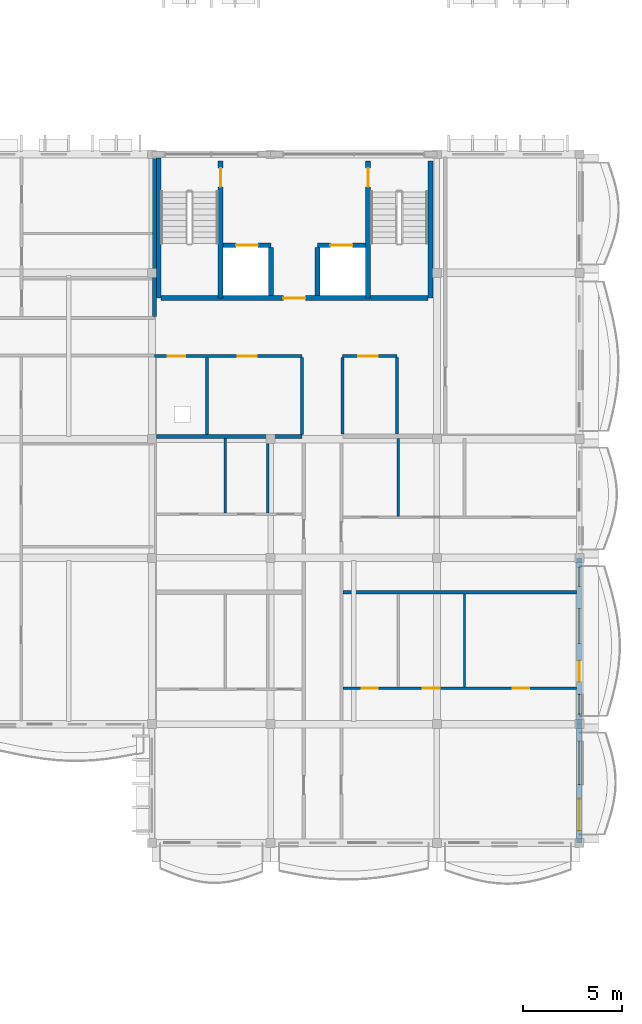
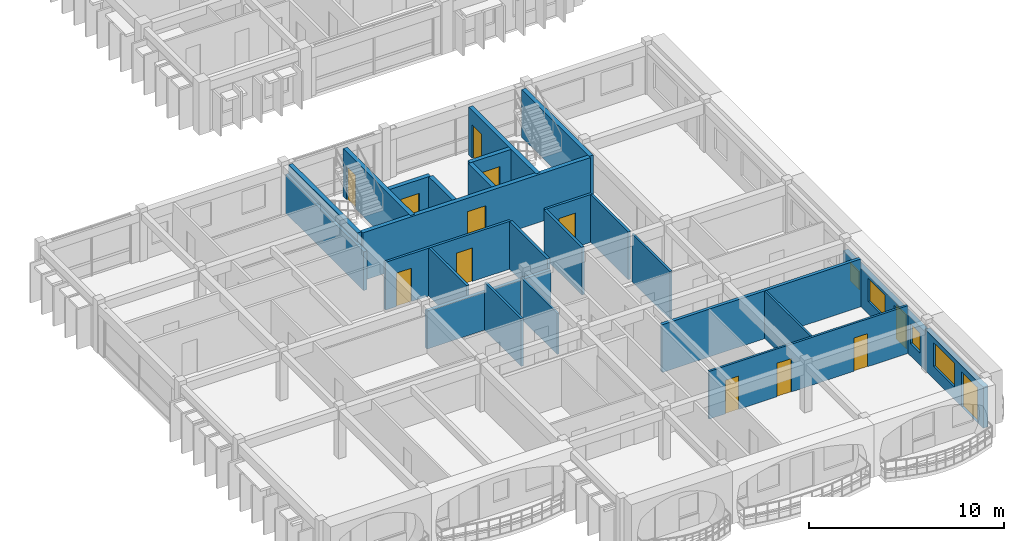
# One storey, part 41 of 76: 25 walls, 13 doors, 4 windows, 17 openings.
"""IFC4 building model written with IfcOpenShell, lengths in metres."""

from ifc_helpers import new_model, si_unit, direction, frame, frame_2d, origin, place, context, subcontext, project, spatial, rectangle, extrude, material, layer, layer_set, type_object, element, fill, save


model = new_model("IFC4")

# Units and contexts
model_context = context("Model", 3, precision=1e-05, world=origin(), true_north=direction((0.0, 1.0)))
body_context = subcontext(model_context, "Body", "Model", "MODEL_VIEW")
ifc_project = project(units=[si_unit("LENGTHUNIT", "METRE"), si_unit("AREAUNIT", "SQUARE_METRE"), si_unit("VOLUMEUNIT", "CUBIC_METRE"), si_unit("PLANEANGLEUNIT", "RADIAN"), si_unit("MASSUNIT", "GRAM", prefix="KILO"), si_unit("THERMODYNAMICTEMPERATUREUNIT", "KELVIN")], contexts=[model_context])

# Site, building, storey
site_placement = place(None, origin())
site = spatial("IfcSite", under=ifc_project, at=site_placement, CompositionType="ELEMENT")
building_placement = place(site_placement, origin())
building = spatial("IfcBuilding", under=site, at=building_placement, Name="Thalorik Housing Commons", CompositionType="ELEMENT")
storey_placement = place(building_placement, frame((0.0, 0.0, 18.0)))
storey = spatial("IfcBuildingStorey", under=building, at=storey_placement, Name="L05", CompositionType="ELEMENT", Elevation=18.0)

# Wall, opening, door
ifc_material_1 = material(Name="Concrete C40/50", Category="concrete")
ifc_layer_1 = layer(ifc_material_1, 0.25, Name="Concrete C40/50", Category="concrete")
ifc_layer_set_1 = layer_set([ifc_layer_1], Name="Concrete C40/50")
wall_type_1 = type_object("IfcWallType", Name="ARC-WAL-CORE-250", PredefinedType="SHEAR", material=ifc_layer_set_1)
wall_1_placement = place(storey_placement, frame((155.875, 71.64990234375, 0.0), z_axis=(0.0, 0.0, 1.0), x_axis=(0.0, -1.0, 0.0)))
wall_1 = element("IfcWall", 1, at=wall_1_placement, inside=storey, type_object=wall_type_1, Name="L05 Core D Stair 1 Shear Wall", PredefinedType="SHEAR", context=body_context, shape_type="SweptSolid", body=[
    extrude(rectangle(XDim=6.9248046875, YDim=0.25, at=frame_2d((3.46240234375, 0.0))), origin(), (0.0, 0.0, 1.0), 3.0),
])
opening_1_placement = place(wall_1_placement, frame((0.35009765625, 0.0, 0.0)))
opening_1 = element("IfcOpeningElement", 2, at=opening_1_placement, cuts=wall_1, Name="Opening ID-0393", PredefinedType="OPENING", context=body_context, shape_type="SweptSolid", body=[
    extrude(rectangle(XDim=0.949951171875, YDim=2.10009765625, at=frame_2d((0.47509765625, 1.050048828125))), frame((0.0, 0.135009765625, 0.0), z_axis=(0.0, -1.0, 0.0), x_axis=(1.0, 0.0, 0.0)), (0.0, 0.0, 1.0), 0.27001953125),
])
ifc_material_2 = material(Name="Steel S355", Category="steel")
door_type_1 = type_object("IfcDoorType", Name="ARC-DR-FD60-950", OperationType="NOTDEFINED", PredefinedType="DOOR", material=ifc_material_2)
door_1_placement = place(opening_1_placement, origin())
door_1 = element("IfcDoor", 3, at=door_1_placement, inside=storey, type_object=door_type_1, Name="L05 Stair ST-D1 Fire Door", OperationType="SINGLE_SWING_RIGHT", OverallHeight=2.10009765625, OverallWidth=0.949951171875, PredefinedType="DOOR", context=body_context, shape_type="SweptSolid", body=[
    extrude(rectangle(XDim=0.949951171875, YDim=2.10009765625, at=frame_2d((0.47509765625, 1.050048828125))), frame((0.0, 0.02490234375, 0.0), z_axis=(0.0, -1.0, 0.0), x_axis=(1.0, 0.0, 0.0)), (0.0, 0.0, 1.0), 0.050048828125),
])
fill(opening_1, door_1)

# Walls
wall_2_placement = place(storey_placement, frame((152.72509765625, 71.800048828125, 0.0), z_axis=(0.0, 0.0, 1.0), x_axis=(0.0, -1.0, 0.0)))
element("IfcWall", 4, at=wall_2_placement, inside=storey, type_object=wall_type_1, Name="L05 Core D Stair 1 Outer Shear Wall", PredefinedType="SHEAR", context=body_context, shape_type="SweptSolid", body=[
    extrude(rectangle(XDim=7.074951171875, YDim=0.25, at=frame_2d((3.53759765625, 0.0))), origin(), (0.0, 0.0, 1.0), 3.0),
])
wall_3_placement = place(storey_placement, frame((166.47509765625, 71.64990234375, 0.0), z_axis=(0.0, 0.0, 1.0), x_axis=(0.0, -1.0, 0.0)))
element("IfcWall", 5, at=wall_3_placement, inside=storey, type_object=wall_type_1, Name="L05 Core D Stair 2 Outer Shear Wall", PredefinedType="SHEAR", context=body_context, shape_type="SweptSolid", body=[
    extrude(rectangle(XDim=6.9248046875, YDim=0.25, at=frame_2d((3.46240234375, 0.0))), origin(), (0.0, 0.0, 1.0), 3.0),
])

# Wall, opening, door
wall_4_placement = place(storey_placement, frame((163.324951171875, 71.64990234375, 0.0), z_axis=(0.0, 0.0, 1.0), x_axis=(0.0, -1.0, 0.0)))
wall_4 = element("IfcWall", 6, at=wall_4_placement, inside=storey, type_object=wall_type_1, Name="L05 Core D Stair 2 Shear Wall", PredefinedType="SHEAR", context=body_context, shape_type="SweptSolid", body=[
    extrude(rectangle(XDim=6.9248046875, YDim=0.25, at=frame_2d((3.46240234375, 0.0))), origin(), (0.0, 0.0, 1.0), 3.0),
])
opening_2_placement = place(wall_4_placement, frame((0.35009765625, 0.0, 0.0)))
opening_2 = element("IfcOpeningElement", 7, at=opening_2_placement, cuts=wall_4, Name="Opening ID-0394", PredefinedType="OPENING", context=body_context, shape_type="SweptSolid", body=[
    extrude(rectangle(XDim=0.949951171875, YDim=2.10009765625, at=frame_2d((0.47509765625, 1.050048828125))), frame((0.0, 0.135009765625, 0.0), z_axis=(0.0, -1.0, 0.0), x_axis=(1.0, 0.0, 0.0)), (0.0, 0.0, 1.0), 0.27001953125),
])
door_2_placement = place(opening_2_placement, origin())
door_2 = element("IfcDoor", 8, at=door_2_placement, inside=storey, type_object=door_type_1, Name="L05 Stair ST-D2 Fire Door", OperationType="SINGLE_SWING_LEFT", OverallHeight=2.10009765625, OverallWidth=0.949951171875, PredefinedType="DOOR", context=body_context, shape_type="SweptSolid", body=[
    extrude(rectangle(XDim=0.949951171875, YDim=2.10009765625, at=frame_2d((0.47509765625, 1.050048828125))), frame((0.0, 0.02490234375, 0.0), z_axis=(0.0, -1.0, 0.0), x_axis=(1.0, 0.0, 0.0)), (0.0, 0.0, 1.0), 0.050048828125),
])
fill(opening_2, door_2)

wall_5_placement = place(storey_placement, frame((156.0, 67.39990234375, 0.0), z_axis=(0.0, 0.0, 1.0), x_axis=(1.0, 0.0, 0.0)))
wall_5 = element("IfcWall", 9, at=wall_5_placement, inside=storey, type_object=wall_type_1, Name="L05 Lift LP-D1 Front Shaft Wall", PredefinedType="SHEAR", context=body_context, shape_type="SweptSolid", body=[
    extrude(rectangle(XDim=2.425048828125, YDim=0.25, at=frame_2d((1.21240234375, 0.0))), origin(), (0.0, 0.0, 1.0), 3.0),
])
opening_3_placement = place(wall_5_placement, frame((0.64990234375, 0.0, 0.0)))
opening_3 = element("IfcOpeningElement", 10, at=opening_3_placement, cuts=wall_5, Name="Opening LD-LP-D1-L05", PredefinedType="OPENING", context=body_context, shape_type="SweptSolid", body=[
    extrude(rectangle(XDim=1.10009765625, YDim=2.14990234375, at=frame_2d((0.550048828125, 1.074951171875))), frame((0.0, 0.135009765625, 0.0), z_axis=(0.0, -1.0, 0.0), x_axis=(1.0, 0.0, 0.0)), (0.0, 0.0, 1.0), 0.27001953125),
])
door_type_2 = type_object("IfcDoorType", Name="ARC-DR-LIFT-1100", OperationType="NOTDEFINED", PredefinedType="DOOR", material=ifc_material_2)
door_3_placement = place(opening_3_placement, origin())
door_3 = element("IfcDoor", 11, at=door_3_placement, inside=storey, type_object=door_type_2, Name="L05 Lift LP-D1 Landing Door", OperationType="SLIDING_TO_LEFT", OverallHeight=2.14990234375, OverallWidth=1.10009765625, PredefinedType="DOOR", context=body_context, shape_type="SweptSolid", body=[
    extrude(rectangle(XDim=1.10009765625, YDim=2.14990234375, at=frame_2d((0.550048828125, 1.074951171875))), frame((0.0, 0.02490234375, 0.0), z_axis=(0.0, -1.0, 0.0), x_axis=(1.0, 0.0, 0.0)), (0.0, 0.0, 1.0), 0.050048828125),
])
fill(opening_3, door_3)

wall_6_placement = place(storey_placement, frame((160.77490234375, 67.39990234375, 0.0), z_axis=(0.0, 0.0, 1.0), x_axis=(1.0, 0.0, 0.0)))
wall_6 = element("IfcWall", 12, at=wall_6_placement, inside=storey, type_object=wall_type_1, Name="L05 Lift LP-D2 Front Shaft Wall", PredefinedType="SHEAR", context=body_context, shape_type="SweptSolid", body=[
    extrude(rectangle(XDim=2.425048828125, YDim=0.25, at=frame_2d((1.21240234375, 0.0))), origin(), (0.0, 0.0, 1.0), 3.0),
])
opening_4_placement = place(wall_6_placement, frame((0.64990234375, 0.0, 0.0)))
opening_4 = element("IfcOpeningElement", 13, at=opening_4_placement, cuts=wall_6, Name="Opening LD-LP-D2-L05", PredefinedType="OPENING", context=body_context, shape_type="SweptSolid", body=[
    extrude(rectangle(XDim=1.10009765625, YDim=2.14990234375, at=frame_2d((0.550048828125, 1.074951171875))), frame((0.0, 0.135009765625, 0.0), z_axis=(0.0, -1.0, 0.0), x_axis=(1.0, 0.0, 0.0)), (0.0, 0.0, 1.0), 0.27001953125),
])
door_4_placement = place(opening_4_placement, origin())
door_4 = element("IfcDoor", 14, at=door_4_placement, inside=storey, type_object=door_type_2, Name="L05 Lift LP-D2 Landing Door", OperationType="SLIDING_TO_LEFT", OverallHeight=2.14990234375, OverallWidth=1.10009765625, PredefinedType="DOOR", context=body_context, shape_type="SweptSolid", body=[
    extrude(rectangle(XDim=1.10009765625, YDim=2.14990234375, at=frame_2d((0.550048828125, 1.074951171875))), frame((0.0, 0.02490234375, 0.0), z_axis=(0.0, -1.0, 0.0), x_axis=(1.0, 0.0, 0.0)), (0.0, 0.0, 1.0), 0.050048828125),
])
fill(opening_4, door_4)

# Walls
for number, where, z_axis, x_axis, name in (
    (15, (158.425048828125, 67.27490234375, 0.0), (0.0, 0.0, 1.0), (0.0, -1.0, 0.0), "L05 Lift 1 Cheek Wall"),
    (16, (160.77490234375, 67.27490234375, 0.0), (0.0, 0.0, 1.0), (0.0, -1.0, 0.0), "L05 Lift 2 Cheek Wall"),
):
    element("IfcWall", number, at=place(storey_placement, frame(where, z_axis=z_axis, x_axis=x_axis)), inside=storey, type_object=wall_type_1, Name=name, PredefinedType="SHEAR", context=body_context, shape_type="SweptSolid", body=[
        extrude(rectangle(XDim=2.4248046875, YDim=0.25, at=frame_2d((1.21240234375, 0.0))), origin(), (0.0, 0.0, 1.0), 3.0),
    ])

# Wall, opening, door
wall_7_placement = place(storey_placement, frame((152.85009765625, 64.72509765625, 0.0), z_axis=(0.0, 0.0, 1.0), x_axis=(1.0, 0.0, 0.0)))
wall_7 = element("IfcWall", 17, at=wall_7_placement, inside=storey, type_object=wall_type_1, Name="L05 Core D Spine Shear Wall", PredefinedType="SHEAR", context=body_context, shape_type="SweptSolid", body=[
    extrude(rectangle(XDim=13.5, YDim=0.25, at=frame_2d((6.75, 0.0))), origin(), (0.0, 0.0, 1.0), 3.0),
])
opening_5_placement = place(wall_7_placement, frame((6.199951171875, 0.0, 0.0)))
opening_5 = element("IfcOpeningElement", 18, at=opening_5_placement, cuts=wall_7, Name="Opening ID-0397", PredefinedType="OPENING", context=body_context, shape_type="SweptSolid", body=[
    extrude(rectangle(XDim=1.10009765625, YDim=2.14990234375, at=frame_2d((0.550048828125, 1.074951171875))), frame((0.0, 0.135009765625, 0.0), z_axis=(0.0, -1.0, 0.0), x_axis=(1.0, 0.0, 0.0)), (0.0, 0.0, 1.0), 0.27001953125),
])
door_type_3 = type_object("IfcDoorType", Name="ARC-DR-FD60-1100", OperationType="NOTDEFINED", PredefinedType="DOOR", material=ifc_material_2)
door_5_placement = place(opening_5_placement, origin())
door_5 = element("IfcDoor", 19, at=door_5_placement, inside=storey, type_object=door_type_3, Name="L05 Core D Lobby Fire Door", OperationType="SINGLE_SWING_RIGHT", OverallHeight=2.14990234375, OverallWidth=1.10009765625, PredefinedType="DOOR", context=body_context, shape_type="SweptSolid", body=[
    extrude(rectangle(XDim=1.10009765625, YDim=2.14990234375, at=frame_2d((0.550048828125, 1.074951171875))), frame((0.0, 0.02490234375, 0.0), z_axis=(0.0, -1.0, 0.0), x_axis=(1.0, 0.0, 0.0)), (0.0, 0.0, 1.0), 0.050048828125),
])
fill(opening_5, door_5)

# Wall, openings, door, window
ifc_material_3 = material(Name="White precast concrete C40/50", Category="concrete")
ifc_layer_2 = layer(ifc_material_3, 0.2900390625, Name="White precast concrete C40/50", Category="concrete")
ifc_layer_set_2 = layer_set([ifc_layer_2], Name="White precast concrete C40/50")
wall_type_2 = type_object("IfcWallType", Name="ARC-WAL-EXT-290", PredefinedType="STANDARD", material=ifc_layer_set_2)
wall_8_placement = place(storey_placement, frame((174.0, 37.199951171875, 0.0), z_axis=(0.0, 0.0, 1.0), x_axis=(0.0, 1.0, 0.0)))
wall_8 = element("IfcWall", 20, at=wall_8_placement, inside=storey, type_object=wall_type_2, Name="L05 Exterior Wall WAL-EXT-L05-D-1217", PredefinedType="STANDARD", context=body_context, shape_type="SweptSolid", body=[
    extrude(rectangle(XDim=6.0, YDim=0.2900390625, at=frame_2d((3.0, 0.0))), origin(), (0.0, 0.0, 1.0), 2.574951171875),
])
opening_6_placement = place(wall_8_placement, frame((0.6201171875, 0.0, 0.0)))
opening_6 = element("IfcOpeningElement", 21, at=opening_6_placement, cuts=wall_8, Name="Opening ED-0411", PredefinedType="OPENING", context=body_context, shape_type="SweptSolid", body=[
    extrude(rectangle(XDim=1.60009765625, YDim=2.199951171875, at=frame_2d((0.800048828125, 1.10009765625))), frame((0.0, 0.155029296875, 0.0), z_axis=(0.0, -1.0, 0.0), x_axis=(1.0, 0.0, 0.0)), (0.0, 0.0, 1.0), 0.31005859375),
])
opening_7_placement = place(wall_8_placement, frame((2.93994140625, 0.0, 0.780029296875)))
opening_7 = element("IfcOpeningElement", 22, at=opening_7_placement, cuts=wall_8, Name="Opening W-29", PredefinedType="OPENING", context=body_context, shape_type="SweptSolid", body=[
    extrude(rectangle(XDim=2.199951171875, YDim=1.5, at=frame_2d((1.10009765625, 0.75))), frame((0.0, 0.155029296875, 0.0), z_axis=(0.0, -1.0, 0.0), x_axis=(1.0, 0.0, 0.0)), (0.0, 0.0, 1.0), 0.31005859375),
])
ifc_material_4 = material(Name="Anodised aluminium and laminated safety glass", Category="aluminium")
door_type_4 = type_object("IfcDoorType", Name="ARC-DR-BAL-1600", OperationType="NOTDEFINED", PredefinedType="DOOR", material=ifc_material_4)
door_6_placement = place(opening_6_placement, frame((1.60009765625, 0.0, 0.0), z_axis=(0.0, 0.0, 1.0), x_axis=(-1.0, 0.0, 0.0)))
door_6 = element("IfcDoor", 23, at=door_6_placement, inside=storey, type_object=door_type_4, Name="L05 Block D Balcony Glazed Door", OperationType="SLIDING_TO_LEFT", OverallHeight=2.199951171875, OverallWidth=1.60009765625, PredefinedType="DOOR", context=body_context, shape_type="SweptSolid", body=[
    extrude(rectangle(XDim=1.60009765625, YDim=2.199951171875, at=frame_2d((0.800048828125, 1.10009765625))), frame((0.0, 0.02490234375, 0.0), z_axis=(0.0, -1.0, 0.0), x_axis=(1.0, 0.0, 0.0)), (0.0, 0.0, 1.0), 0.050048828125),
])
fill(opening_6, door_6)
ifc_material_5 = material(Name="Anodised aluminium and solar-control low-E glass", Category="aluminium")
window_type_1 = type_object("IfcWindowType", Name="ARC-WIN-29", PartitioningType="DOUBLE_PANEL_VERTICAL", PredefinedType="WINDOW", material=ifc_material_5)
window_1_placement = place(opening_7_placement, origin())
window_1 = element("IfcWindow", 24, at=window_1_placement, inside=storey, type_object=window_type_1, Name="L05 Facade Window 2222", OverallHeight=1.5, OverallWidth=2.199951171875, PartitioningType="DOUBLE_PANEL_VERTICAL", PredefinedType="WINDOW", context=body_context, shape_type="SweptSolid", body=[
    extrude(rectangle(XDim=2.199951171875, YDim=1.5, at=frame_2d((1.10009765625, 0.75))), frame((0.0, 0.030029296875, 0.0), z_axis=(0.0, -1.0, 0.0), x_axis=(1.0, 0.0, 0.0)), (0.0, 0.0, 1.0), 0.06005859375),
])
fill(opening_7, window_1)

# Wall, openings, door, windows
wall_9_placement = place(storey_placement, frame((174.0, 43.199951171875, 0.0), z_axis=(0.0, 0.0, 1.0), x_axis=(0.0, 1.0, 0.0)))
wall_9 = element("IfcWall", 25, at=wall_9_placement, inside=storey, type_object=wall_type_2, Name="L05 Exterior Wall WAL-EXT-L05-D-1218", PredefinedType="STANDARD", context=body_context, shape_type="SweptSolid", body=[
    extrude(rectangle(XDim=8.400146484375, YDim=0.2900390625, at=frame_2d((4.2001953125, 0.0))), origin(), (0.0, 0.0, 1.0), 2.425048828125),
])
opening_8_placement = place(wall_9_placement, frame((2.142822265625, 0.0, 0.0)))
opening_8 = element("IfcOpeningElement", 26, at=opening_8_placement, cuts=wall_9, Name="Opening ED-0412", PredefinedType="OPENING", context=body_context, shape_type="SweptSolid", body=[
    extrude(rectangle(XDim=1.050048828125, YDim=2.14990234375, at=frame_2d((0.52490234375, 1.074951171875))), frame((0.0, 0.155029296875, 0.0), z_axis=(0.0, -1.0, 0.0), x_axis=(1.0, 0.0, 0.0)), (0.0, 0.0, 1.0), 0.31005859375),
])
opening_9_placement = place(wall_9_placement, frame((0.50146484375, 0.0, 0.780029296875)))
opening_9 = element("IfcOpeningElement", 27, at=opening_9_placement, cuts=wall_9, Name="Opening W-02", PredefinedType="OPENING", context=body_context, shape_type="SweptSolid", body=[
    extrude(rectangle(XDim=1.0, YDim=1.25, at=frame_2d((0.5, 0.625))), frame((0.0, 0.155029296875, 0.0), z_axis=(0.0, -1.0, 0.0), x_axis=(1.0, 0.0, 0.0)), (0.0, 0.0, 1.0), 0.31005859375),
])
opening_10_placement = place(wall_9_placement, frame((4.081298828125, 0.0, 0.780029296875)))
opening_10 = element("IfcOpeningElement", 28, at=opening_10_placement, cuts=wall_9, Name="Opening W-17", PredefinedType="OPENING", context=body_context, shape_type="SweptSolid", body=[
    extrude(rectangle(XDim=1.75, YDim=1.449951171875, at=frame_2d((0.875, 0.72509765625))), frame((0.0, 0.155029296875, 0.0), z_axis=(0.0, -1.0, 0.0), x_axis=(1.0, 0.0, 0.0)), (0.0, 0.0, 1.0), 0.31005859375),
])
opening_11_placement = place(wall_9_placement, frame((6.965087890625, 0.0, 0.780029296875)))
opening_11 = element("IfcOpeningElement", 29, at=opening_11_placement, cuts=wall_9, Name="Opening W-43", PredefinedType="OPENING", context=body_context, shape_type="SweptSolid", body=[
    extrude(rectangle(XDim=0.949951171875, YDim=1.14990234375, at=frame_2d((0.47509765625, 0.574951171875))), frame((0.0, 0.155029296875, 0.0), z_axis=(0.0, -1.0, 0.0), x_axis=(1.0, 0.0, 0.0)), (0.0, 0.0, 1.0), 0.31005859375),
])
door_type_5 = type_object("IfcDoorType", Name="ARC-DR-BAL-1050", OperationType="NOTDEFINED", PredefinedType="DOOR", material=ifc_material_4)
door_7_placement = place(opening_8_placement, frame((1.050048828125, 0.0, 0.0), z_axis=(0.0, 0.0, 1.0), x_axis=(-1.0, 0.0, 0.0)))
door_7 = element("IfcDoor", 30, at=door_7_placement, inside=storey, type_object=door_type_5, Name="L05 Block D Balcony Glazed Door", OperationType="SINGLE_SWING_LEFT", OverallHeight=2.14990234375, OverallWidth=1.050048828125, PredefinedType="DOOR", context=body_context, shape_type="SweptSolid", body=[
    extrude(rectangle(XDim=1.050048828125, YDim=2.14990234375, at=frame_2d((0.52490234375, 1.074951171875))), frame((0.0, 0.02490234375, 0.0), z_axis=(0.0, -1.0, 0.0), x_axis=(1.0, 0.0, 0.0)), (0.0, 0.0, 1.0), 0.050048828125),
])
fill(opening_8, door_7)
window_type_2 = type_object("IfcWindowType", Name="ARC-WIN-02", PartitioningType="SINGLE_PANEL", PredefinedType="WINDOW", material=ifc_material_5)
window_2_placement = place(opening_9_placement, origin())
window_2 = element("IfcWindow", 31, at=window_2_placement, inside=storey, type_object=window_type_2, Name="L05 Facade Window 2223", OverallHeight=1.25, OverallWidth=1.0, PartitioningType="SINGLE_PANEL", PredefinedType="WINDOW", context=body_context, shape_type="SweptSolid", body=[
    extrude(rectangle(XDim=1.0, YDim=1.25, at=frame_2d((0.5, 0.625))), frame((0.0, 0.030029296875, 0.0), z_axis=(0.0, -1.0, 0.0), x_axis=(1.0, 0.0, 0.0)), (0.0, 0.0, 1.0), 0.06005859375),
])
fill(opening_9, window_2)
window_type_3 = type_object("IfcWindowType", Name="ARC-WIN-17", PartitioningType="DOUBLE_PANEL_VERTICAL", PredefinedType="WINDOW", material=ifc_material_5)
window_3_placement = place(opening_10_placement, origin())
window_3 = element("IfcWindow", 32, at=window_3_placement, inside=storey, type_object=window_type_3, Name="L05 Facade Window 2224", OverallHeight=1.449951171875, OverallWidth=1.75, PartitioningType="DOUBLE_PANEL_VERTICAL", PredefinedType="WINDOW", context=body_context, shape_type="SweptSolid", body=[
    extrude(rectangle(XDim=1.75, YDim=1.449951171875, at=frame_2d((0.875, 0.72509765625))), frame((0.0, 0.030029296875, 0.0), z_axis=(0.0, -1.0, 0.0), x_axis=(1.0, 0.0, 0.0)), (0.0, 0.0, 1.0), 0.06005859375),
])
fill(opening_10, window_3)
window_type_4 = type_object("IfcWindowType", Name="ARC-WIN-43", PartitioningType="SINGLE_PANEL", PredefinedType="WINDOW", material=ifc_material_5)
window_4_placement = place(opening_11_placement, origin())
window_4 = element("IfcWindow", 33, at=window_4_placement, inside=storey, type_object=window_type_4, Name="L05 Facade Window 2225", OverallHeight=1.14990234375, OverallWidth=0.949951171875, PartitioningType="SINGLE_PANEL", PredefinedType="WINDOW", context=body_context, shape_type="SweptSolid", body=[
    extrude(rectangle(XDim=0.949951171875, YDim=1.14990234375, at=frame_2d((0.47509765625, 0.574951171875))), frame((0.0, 0.030029296875, 0.0), z_axis=(0.0, -1.0, 0.0), x_axis=(1.0, 0.0, 0.0)), (0.0, 0.0, 1.0), 0.06005859375),
])
fill(opening_11, window_4)

# Walls
ifc_material_6 = material(Name="Gypsum moisture-resistant partition", Category="masonry")
ifc_layer_3 = layer(ifc_material_6, 0.114990234375, Name="Gypsum moisture-resistant partition", Category="masonry")
ifc_layer_set_3 = layer_set([ifc_layer_3], Name="Gypsum moisture-resistant partition")
wall_type_3 = type_object("IfcWallType", Name="ARC-WAL-PART-115", PredefinedType="PARTITIONING", material=ifc_layer_set_3)
wall_10_placement = place(storey_placement, frame((168.19921875, 45.077392578125, 0.0), z_axis=(0.0, 0.0, 1.0), x_axis=(0.0, 1.0, 0.0)))
element("IfcWall", 34, at=wall_10_placement, inside=storey, type_object=wall_type_3, Name="L05 Unit 1B Bedroom Partition", PredefinedType="PARTITIONING", context=body_context, shape_type="SweptSolid", body=[
    extrude(rectangle(XDim=4.697998046875, YDim=0.114990234375, at=frame_2d((2.34912109375, 0.0))), origin(), (0.0, 0.0, 1.0), 3.0),
])
wall_11_placement = place(storey_placement, frame((158.251220703125, 53.876953125, 0.0), z_axis=(0.0, 0.0, 1.0), x_axis=(0.0, 1.0, 0.0)))
element("IfcWall", 35, at=wall_11_placement, inside=storey, type_object=wall_type_3, Name="L05 Unit 2 Wet Wall", PredefinedType="PARTITIONING", context=body_context, shape_type="SweptSolid", body=[
    extrude(rectangle(XDim=3.760986328125, YDim=0.114990234375, at=frame_2d((1.88037109375, 0.0))), origin(), (0.0, 0.0, 1.0), 2.574951171875),
])

# Wall, openings, doors
ifc_material_7 = material(Name="Gypsum acoustic stud partition", Category="masonry")
ifc_layer_4 = layer(ifc_material_7, 0.125, Name="Gypsum acoustic stud partition", Category="masonry")
ifc_layer_set_4 = layer_set([ifc_layer_4], Name="Gypsum acoustic stud partition")
wall_type_4 = type_object("IfcWallType", Name="ARC-WAL-PART-125", PredefinedType="PARTITIONING", material=ifc_layer_set_4)
wall_12_placement = place(storey_placement, frame((162.056884765625, 45.0126953125, 0.0), z_axis=(0.0, 0.0, 1.0), x_axis=(1.0, 0.0, 0.0)))
wall_12 = element("IfcWall", 36, at=wall_12_placement, inside=storey, type_object=wall_type_4, Name="L05 Unit 1B Spine Partition", PredefinedType="PARTITIONING", context=body_context, shape_type="SweptSolid", body=[
    extrude(rectangle(XDim=11.796142578125, YDim=0.125, at=frame_2d((5.89794921875, 0.0))), origin(), (0.0, 0.0, 1.0), 3.0),
])
opening_12_placement = place(wall_12_placement, frame((0.958251953125, 0.0, 0.0)))
opening_12 = element("IfcOpeningElement", 37, at=opening_12_placement, cuts=wall_12, Name="Opening ID-2078", PredefinedType="OPENING", context=body_context, shape_type="SweptSolid", body=[
    extrude(rectangle(XDim=0.800048828125, YDim=2.10009765625, at=frame_2d((0.39990234375, 1.050048828125))), frame((0.0, 0.072509765625, 0.0), z_axis=(0.0, -1.0, 0.0), x_axis=(1.0, 0.0, 0.0)), (0.0, 0.0, 1.0), 0.14501953125),
])
opening_13_placement = place(wall_12_placement, frame((4.042724609375, 0.0, 0.0)))
opening_13 = element("IfcOpeningElement", 38, at=opening_13_placement, cuts=wall_12, Name="Opening ID-2079", PredefinedType="OPENING", context=body_context, shape_type="SweptSolid", body=[
    extrude(rectangle(XDim=0.85009765625, YDim=2.10009765625, at=frame_2d((0.425048828125, 1.050048828125))), frame((0.0, 0.072509765625, 0.0), z_axis=(0.0, -1.0, 0.0), x_axis=(1.0, 0.0, 0.0)), (0.0, 0.0, 1.0), 0.14501953125),
])
opening_14_placement = place(wall_12_placement, frame((8.587646484375, 0.0, 0.0)))
opening_14 = element("IfcOpeningElement", 39, at=opening_14_placement, cuts=wall_12, Name="Opening ID-2080", PredefinedType="OPENING", context=body_context, shape_type="SweptSolid", body=[
    extrude(rectangle(XDim=0.820068359375, YDim=2.080078125, at=frame_2d((0.41015625, 1.0400390625))), frame((0.0, 0.072509765625, 0.0), z_axis=(0.0, -1.0, 0.0), x_axis=(1.0, 0.0, 0.0)), (0.0, 0.0, 1.0), 0.14501953125),
])
ifc_material_8 = material(Name="Moisture-resistant timber", Category="wood")
door_type_6 = type_object("IfcDoorType", Name="ARC-DR-INT-800", OperationType="NOTDEFINED", PredefinedType="DOOR", material=ifc_material_8)
door_8_placement = place(opening_12_placement, origin())
door_8 = element("IfcDoor", 40, at=door_8_placement, inside=storey, type_object=door_type_6, Name="L05 Accessible Bathroom Door", OperationType="SINGLE_SWING_LEFT", OverallHeight=2.10009765625, OverallWidth=0.800048828125, PredefinedType="DOOR", context=body_context, shape_type="SweptSolid", body=[
    extrude(rectangle(XDim=0.800048828125, YDim=2.10009765625, at=frame_2d((0.39990234375, 1.050048828125))), frame((0.0, 0.02490234375, 0.0), z_axis=(0.0, -1.0, 0.0), x_axis=(1.0, 0.0, 0.0)), (0.0, 0.0, 1.0), 0.050048828125),
])
fill(opening_12, door_8)
ifc_material_9 = material(Name="Engineered oak timber", Category="wood")
door_type_7 = type_object("IfcDoorType", Name="ARC-DR-INT-820", OperationType="NOTDEFINED", PredefinedType="DOOR", material=ifc_material_9)
door_9_placement = place(opening_14_placement, origin())
door_9 = element("IfcDoor", 41, at=door_9_placement, inside=storey, type_object=door_type_7, Name="L05 Double Bedroom Door", OperationType="SINGLE_SWING_LEFT", OverallHeight=2.080078125, OverallWidth=0.820068359375, PredefinedType="DOOR", context=body_context, shape_type="SweptSolid", body=[
    extrude(rectangle(XDim=0.820068359375, YDim=2.080078125, at=frame_2d((0.41015625, 1.0400390625))), frame((0.0, 0.02490234375, 0.0), z_axis=(0.0, -1.0, 0.0), x_axis=(1.0, 0.0, 0.0)), (0.0, 0.0, 1.0), 0.050048828125),
])
fill(opening_14, door_9)
door_type_8 = type_object("IfcDoorType", Name="ARC-DR-INT-850", OperationType="NOTDEFINED", PredefinedType="DOOR", material=ifc_material_9)
door_10_placement = place(opening_13_placement, origin())
door_10 = element("IfcDoor", 42, at=door_10_placement, inside=storey, type_object=door_type_8, Name="L05 Eat-In Kitchen Door", OperationType="SINGLE_SWING_RIGHT", OverallHeight=2.10009765625, OverallWidth=0.85009765625, PredefinedType="DOOR", context=body_context, shape_type="SweptSolid", body=[
    extrude(rectangle(XDim=0.85009765625, YDim=2.10009765625, at=frame_2d((0.425048828125, 1.050048828125))), frame((0.0, 0.02490234375, 0.0), z_axis=(0.0, -1.0, 0.0), x_axis=(1.0, 0.0, 0.0)), (0.0, 0.0, 1.0), 0.050048828125),
])
fill(opening_13, door_10)

# Walls
wall_13_placement = place(storey_placement, frame((156.11767578125, 53.876953125, 0.0), z_axis=(0.0, 0.0, 1.0), x_axis=(0.0, 1.0, 0.0)))
element("IfcWall", 43, at=wall_13_placement, inside=storey, type_object=wall_type_4, Name="L05 Unit 2 Bedroom Partition", PredefinedType="PARTITIONING", context=body_context, shape_type="SweptSolid", body=[
    extrude(rectangle(XDim=3.760986328125, YDim=0.125, at=frame_2d((1.88037109375, 0.0))), origin(), (0.0, 0.0, 1.0), 3.0),
])
wall_14_placement = place(storey_placement, frame((164.850341796875, 53.69970703125, 0.0), z_axis=(0.0, 0.0, 1.0), x_axis=(0.0, 1.0, 0.0)))
element("IfcWall", 44, at=wall_14_placement, inside=storey, type_object=wall_type_4, Name="L05 Unit 2B Wet Wall", PredefinedType="PARTITIONING", context=body_context, shape_type="SweptSolid", body=[
    extrude(rectangle(XDim=3.92822265625, YDim=0.125, at=frame_2d((1.964111328125, 0.0))), origin(), (0.0, 0.0, 1.0), 3.0),
])
ifc_material_10 = material(Name="Ceramic masonry partition wall", Category="masonry")
ifc_layer_5 = layer(ifc_material_10, 0.14794921875, Name="Ceramic masonry partition wall", Category="masonry")
ifc_layer_set_5 = layer_set([ifc_layer_5], Name="Ceramic masonry partition wall")
wall_type_5 = type_object("IfcWallType", Name="ARC-WAL-PART-150", PredefinedType="PARTITIONING", material=ifc_layer_set_5)
for number, where, z_axis, x_axis, name in (
    (45, (155.175048828125, 61.72412109375, 0.0), (0.0, 0.0, 1.0), (0.0, -1.0, 0.0), "Riser Wall"),
    (46, (159.97509765625, 61.72412109375, 0.0), (0.0, 0.0, 1.0), (0.0, -1.0, 0.0), "Core Stem West Cheek Wall"),
):
    element("IfcWall", number, at=place(storey_placement, frame(where, z_axis=z_axis, x_axis=x_axis)), inside=storey, type_object=wall_type_5, Name=name, PredefinedType="PARTITIONING", context=body_context, shape_type="SweptSolid", body=[
        extrude(rectangle(XDim=3.882080078125, YDim=0.14794921875, at=frame_2d((1.94091796875, 0.0))), origin(), (0.0, 0.0, 1.0), 3.0),
    ])
for number, where, z_axis, x_axis, name in (
    (47, (162.02490234375, 61.72412109375, 0.0), (0.0, 0.0, 1.0), (0.0, -1.0, 0.0), "Core Stem East Cheek Wall"),
    (48, (164.780029296875, 61.72412109375, 0.0), (0.0, 0.0, 1.0), (0.0, -1.0, 0.0), "Core East Enclosing Wall"),
):
    element("IfcWall", number, at=place(storey_placement, frame(where, z_axis=z_axis, x_axis=x_axis)), inside=storey, type_object=wall_type_5, Name=name, PredefinedType="PARTITIONING", context=body_context, shape_type="SweptSolid", body=[
        extrude(rectangle(XDim=3.8720703125, YDim=0.14794921875, at=frame_2d((1.93603515625, 0.0))), origin(), (0.0, 0.0, 1.0), 3.0),
    ])

# Wall, openings, doors
wall_15_placement = place(storey_placement, frame((152.5400390625, 61.800048828125, 0.0), z_axis=(0.0, 0.0, 1.0), x_axis=(1.0, 0.0, 0.0)))
wall_15 = element("IfcWall", 49, at=wall_15_placement, inside=storey, type_object=wall_type_5, Name="L05 Core D West Corridor Partition", PredefinedType="PARTITIONING", context=body_context, shape_type="SweptSolid", body=[
    extrude(rectangle(XDim=7.43505859375, YDim=0.14794921875, at=frame_2d((3.717529296875, 0.0))), origin(), (0.0, 0.0, 1.0), 3.0),
])
opening_15_placement = place(wall_15_placement, frame((0.64990234375, 0.0, 0.0)))
opening_15 = element("IfcOpeningElement", 50, at=opening_15_placement, cuts=wall_15, Name="Opening ID-0398", PredefinedType="OPENING", context=body_context, shape_type="SweptSolid", body=[
    extrude(rectangle(XDim=0.89990234375, YDim=2.10009765625, at=frame_2d((0.449951171875, 1.050048828125))), frame((0.0, 0.083984375, 0.0), z_axis=(0.0, -1.0, 0.0), x_axis=(1.0, 0.0, 0.0)), (0.0, 0.0, 1.0), 0.16796875),
])
opening_16_placement = place(wall_15_placement, frame((4.199951171875, 0.0, 0.0)))
opening_16 = element("IfcOpeningElement", 51, at=opening_16_placement, cuts=wall_15, Name="Opening ID-0399", PredefinedType="OPENING", context=body_context, shape_type="SweptSolid", body=[
    extrude(rectangle(XDim=0.949951171875, YDim=2.10009765625, at=frame_2d((0.47509765625, 1.050048828125))), frame((0.0, 0.083984375, 0.0), z_axis=(0.0, -1.0, 0.0), x_axis=(1.0, 0.0, 0.0)), (0.0, 0.0, 1.0), 0.16796875),
])
door_type_9 = type_object("IfcDoorType", Name="ARC-DR-FD60-900", OperationType="NOTDEFINED", PredefinedType="DOOR", material=ifc_material_2)
door_11_placement = place(opening_15_placement, origin())
door_11 = element("IfcDoor", 52, at=door_11_placement, inside=storey, type_object=door_type_9, Name="Electrical Riser Door", OperationType="SINGLE_SWING_LEFT", OverallHeight=2.10009765625, OverallWidth=0.89990234375, PredefinedType="DOOR", context=body_context, shape_type="SweptSolid", body=[
    extrude(rectangle(XDim=0.89990234375, YDim=2.10009765625, at=frame_2d((0.449951171875, 1.050048828125))), frame((0.0, 0.02490234375, 0.0), z_axis=(0.0, -1.0, 0.0), x_axis=(1.0, 0.0, 0.0)), (0.0, 0.0, 1.0), 0.050048828125),
])
fill(opening_15, door_11)
door_type_10 = type_object("IfcDoorType", Name="ARC-DR-INT-950", OperationType="NOTDEFINED", PredefinedType="DOOR", material=ifc_material_9)
door_12_placement = place(opening_16_placement, origin())
door_12 = element("IfcDoor", 53, at=door_12_placement, inside=storey, type_object=door_type_10, Name="Accessible Bathroom Door", OperationType="SINGLE_SWING_RIGHT", OverallHeight=2.10009765625, OverallWidth=0.949951171875, PredefinedType="DOOR", context=body_context, shape_type="SweptSolid", body=[
    extrude(rectangle(XDim=0.949951171875, YDim=2.10009765625, at=frame_2d((0.47509765625, 1.050048828125))), frame((0.0, 0.02490234375, 0.0), z_axis=(0.0, -1.0, 0.0), x_axis=(1.0, 0.0, 0.0)), (0.0, 0.0, 1.0), 0.050048828125),
])
fill(opening_16, door_12)

# Wall, opening, door
wall_16_placement = place(storey_placement, frame((162.02490234375, 61.800048828125, 0.0), z_axis=(0.0, 0.0, 1.0), x_axis=(1.0, 0.0, 0.0)))
wall_16 = element("IfcWall", 54, at=wall_16_placement, inside=storey, type_object=wall_type_5, Name="L05 Core D East Corridor Partition", PredefinedType="PARTITIONING", context=body_context, shape_type="SweptSolid", body=[
    extrude(rectangle(XDim=2.755126953125, YDim=0.14794921875, at=frame_2d((1.37744140625, 0.0))), origin(), (0.0, 0.0, 1.0), 3.0),
])
opening_17_placement = place(wall_16_placement, frame((0.800048828125, 0.0, 0.0)))
opening_17 = element("IfcOpeningElement", 55, at=opening_17_placement, cuts=wall_16, Name="Opening ID-0400", PredefinedType="OPENING", context=body_context, shape_type="SweptSolid", body=[
    extrude(rectangle(XDim=1.0, YDim=2.14990234375, at=frame_2d((0.5, 1.074951171875))), frame((0.0, 0.083984375, 0.0), z_axis=(0.0, -1.0, 0.0), x_axis=(1.0, 0.0, 0.0)), (0.0, 0.0, 1.0), 0.16796875),
])
door_type_11 = type_object("IfcDoorType", Name="ARC-DR-FD60-1000", OperationType="NOTDEFINED", PredefinedType="DOOR", material=ifc_material_2)
door_13_placement = place(opening_17_placement, origin())
door_13 = element("IfcDoor", 56, at=door_13_placement, inside=storey, type_object=door_type_11, Name="Core Hub Room Door", OperationType="SINGLE_SWING_LEFT", OverallHeight=2.14990234375, OverallWidth=1.0, PredefinedType="DOOR", context=body_context, shape_type="SweptSolid", body=[
    extrude(rectangle(XDim=1.0, YDim=2.14990234375, at=frame_2d((0.5, 1.074951171875))), frame((0.0, 0.02490234375, 0.0), z_axis=(0.0, -1.0, 0.0), x_axis=(1.0, 0.0, 0.0)), (0.0, 0.0, 1.0), 0.050048828125),
])
fill(opening_17, door_13)

# Walls
ifc_material_11 = material(Name="Masonry acoustic blockwork wall", Category="masonry")
ifc_layer_6 = layer(ifc_material_11, 0.18505859375, Name="Masonry acoustic blockwork wall", Category="masonry")
ifc_layer_set_6 = layer_set([ifc_layer_6], Name="Masonry acoustic blockwork wall")
wall_type_6 = type_object("IfcWallType", Name="ARC-WAL-PARTY-185", PredefinedType="PARTITIONING", material=ifc_layer_set_6)
wall_17_placement = place(storey_placement, frame((162.056884765625, 49.8701171875, 0.0), z_axis=(0.0, 0.0, 1.0), x_axis=(1.0, 0.0, 0.0)))
element("IfcWall", 57, at=wall_17_placement, inside=storey, type_object=wall_type_6, Name="L05 Inter-Tenancy Wall 1B", PredefinedType="PARTITIONING", context=body_context, shape_type="SweptSolid", body=[
    extrude(rectangle(XDim=11.796142578125, YDim=0.18505859375, at=frame_2d((5.89794921875, 0.0))), origin(), (0.0, 0.0, 1.0), 3.0),
])
ifc_material_12 = material(Name="Precast concrete C40/50 acoustic wall", Category="concrete")
ifc_layer_7 = layer(ifc_material_12, 0.199951171875, Name="Precast concrete C40/50 acoustic wall", Category="concrete")
ifc_layer_set_7 = layer_set([ifc_layer_7], Name="Precast concrete C40/50 acoustic wall")
wall_type_7 = type_object("IfcWallType", Name="ARC-WAL-PARTY-200", PredefinedType="PARTITIONING", material=ifc_layer_set_7)
wall_18_placement = place(storey_placement, frame((152.634521484375, 57.739990234375, 0.0), z_axis=(0.0, 0.0, 1.0), x_axis=(1.0, 0.0, 0.0)))
element("IfcWall", 58, at=wall_18_placement, inside=storey, type_object=wall_type_7, Name="L05 Core End Wall A", PredefinedType="PARTITIONING", context=body_context, shape_type="SweptSolid", body=[
    extrude(rectangle(XDim=7.361083984375, YDim=0.199951171875, at=frame_2d((3.6806640625, 0.0))), origin(), (0.0, 0.0, 1.0), 2.375),
])
wall_19_placement = place(storey_placement, frame((152.5400390625, 63.804443359375, 0.0), z_axis=(0.0, 0.0, 1.0), x_axis=(0.0, 1.0, 0.0)))
element("IfcWall", 59, at=wall_19_placement, inside=storey, type_object=wall_type_7, Name="L05 Core End Wall B", PredefinedType="PARTITIONING", context=body_context, shape_type="SweptSolid", body=[
    extrude(rectangle(XDim=8.048583984375, YDim=0.199951171875, at=frame_2d((4.0244140625, 0.0))), origin(), (0.0, 0.0, 1.0), 2.425048828125),
])

save(model, "model.ifc")
